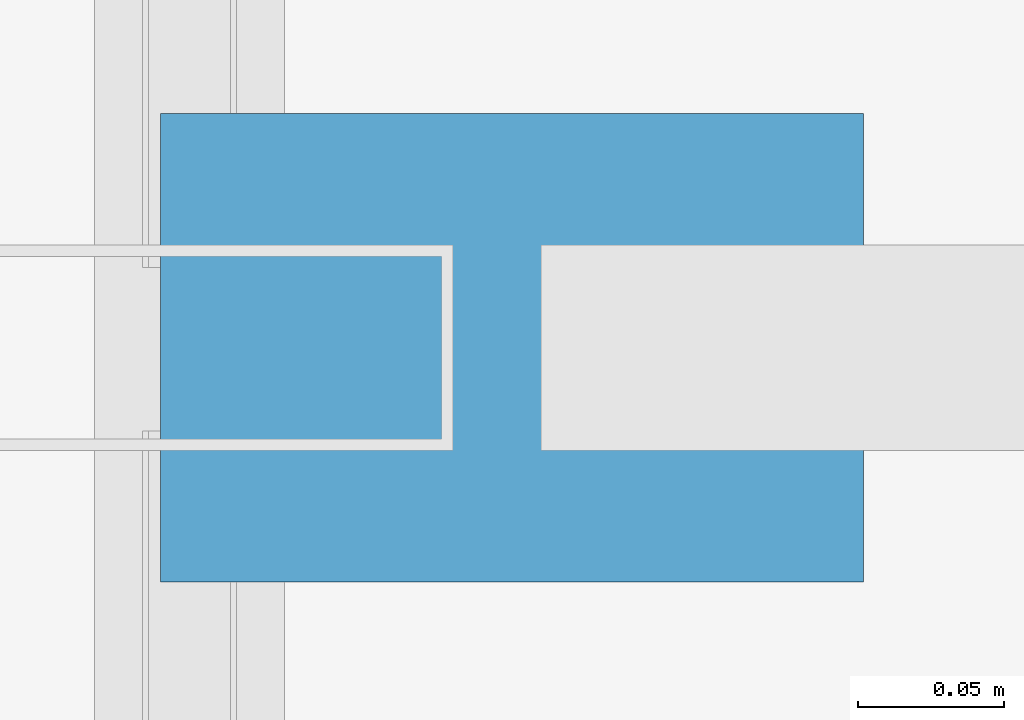
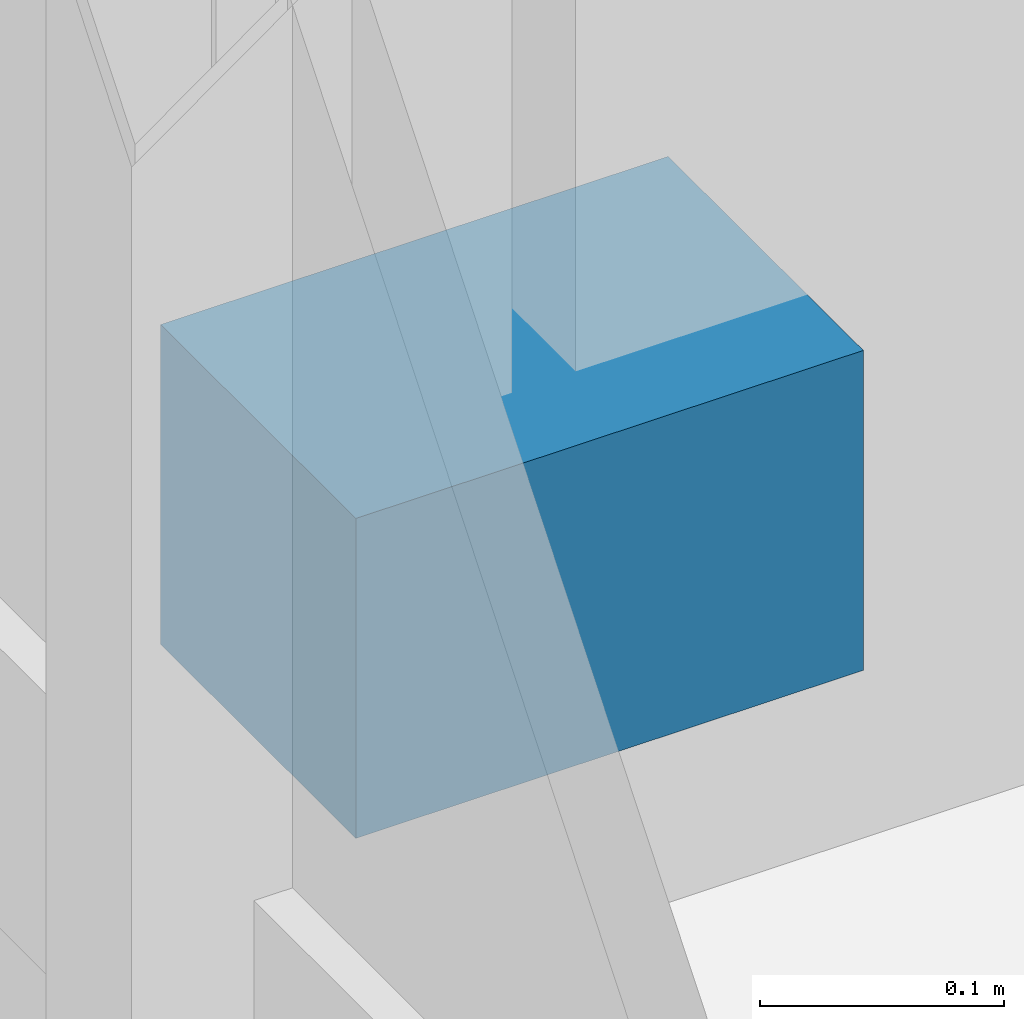
# One storey, part 29 of 37: 1 discrete accessory.
"""IFC4 building model written with IfcOpenShell, lengths in metres."""

import ifcopenshell
import ifcopenshell.guid

model = None  # the IFC model being written
_history = None  # IfcOwnerHistory: only IFC2X3 demands one
_inside = {}  # id of a spatial element -> (the spatial element, [elements in it])
_under = {}  # id of a project, library or spatial element -> (it, [spatial elements below it])
_declared = {}  # id of a project -> (the project, [libraries it declares])
_typed = {}  # id of a type object -> (the type object, [elements of that type])
_made_of = {}  # id of a material, layer set ... -> (it, [elements and type objects made of it])


def new_model(schema):
    """Start an empty IFC model of exactly this schema.

    Asked for "IFC4X3", IfcOpenShell would pick the latest addendum, in which some entities
    have other attributes; the version numbers below select the first issue.
    IFC2X3 requires an IfcOwnerHistory on every rooted entity: one is made here for all.
    """
    global model, _history
    if schema == "IFC4X3":
        model = ifcopenshell.file(schema_version=(4, 3, 0, 0))
    else:
        model = ifcopenshell.file(schema=schema)
    _inside.clear()
    _under.clear()
    _declared.clear()
    _typed.clear()
    _made_of.clear()
    _history = None
    if model.schema == "IFC2X3":
        org = make("IfcOrganization", Name="unknown")
        user = make(
            "IfcPersonAndOrganization",
            ThePerson=make("IfcPerson", FamilyName="unknown"),
            TheOrganization=org,
        )
        app = make(
            "IfcApplication",
            ApplicationDeveloper=org,
            Version="unknown",
            ApplicationFullName="unknown",
            ApplicationIdentifier="unknown",
        )
        _history = make(
            "IfcOwnerHistory",
            OwningUser=user,
            OwningApplication=app,
            ChangeAction="ADDED",
            CreationDate=0,
        )
    return model


def make(cls, **values):
    """One entity of the class cls with the attributes given. An attribute that is None is left unset."""
    return model.create_entity(
        cls, **{name: value for name, value in values.items() if value is not None}
    )


def rooted(cls, **values):
    """An entity with a GlobalId (a new one), such as an element, a storey or a relation."""
    return make(cls, GlobalId=ifcopenshell.guid.new(), OwnerHistory=_history, **values)


def si_unit(unit_type, name, prefix=None):
    """IfcSIUnit, for example si_unit("LENGTHUNIT", "METRE", prefix="MILLI")."""
    return make("IfcSIUnit", UnitType=unit_type, Prefix=prefix, Name=name)


def assignment(units):
    """IfcUnitAssignment: the units of a project."""
    return None if units is None else make("IfcUnitAssignment", Units=units)


def point(xyz):
    """IfcCartesianPoint."""
    return None if xyz is None else make("IfcCartesianPoint", Coordinates=xyz)


def direction(xyz):
    """IfcDirection."""
    return None if xyz is None else make("IfcDirection", DirectionRatios=xyz)


def frame(location, z_axis=None, x_axis=None):
    """IfcAxis2Placement3D, a coordinate frame: its origin and axes. An axis left out is left unset."""
    return make(
        "IfcAxis2Placement3D",
        Location=point(location),
        Axis=direction(z_axis),
        RefDirection=direction(x_axis),
    )


def frame_2d(location, x_axis=None):
    """IfcAxis2Placement2D, a coordinate frame in the plane: its origin and x axis."""
    return make(
        "IfcAxis2Placement2D", Location=point(location), RefDirection=direction(x_axis)
    )


def origin():
    """The frame at (0, 0, 0) with its axes left unset."""
    return frame((0.0, 0.0, 0.0))


def origin_2d():
    """The frame at (0, 0) in the plane with its x axis left unset."""
    return frame_2d((0.0, 0.0))


def place(relative_to, where):
    """IfcLocalPlacement: puts the frame where relative to a parent placement (None: the world)."""
    return make(
        "IfcLocalPlacement", PlacementRelTo=relative_to, RelativePlacement=where
    )


def context(
    kind, dimensions, precision=None, world=None, true_north=None, identifier=None
):
    """IfcGeometricRepresentationContext, for example the 3D "Model" context."""
    return make(
        "IfcGeometricRepresentationContext",
        ContextIdentifier=identifier,
        ContextType=kind,
        CoordinateSpaceDimension=dimensions,
        Precision=precision,
        WorldCoordinateSystem=world,
        TrueNorth=true_north,
    )


def subcontext(parent, identifier, kind, view, scale=None):
    """IfcGeometricRepresentationSubContext, for example "Body" below "Model"."""
    return make(
        "IfcGeometricRepresentationSubContext",
        ContextIdentifier=identifier,
        ContextType=kind,
        ParentContext=parent,
        TargetScale=scale,
        TargetView=view,
    )


def project(units=None, contexts=None):
    """IfcProject with its units and contexts."""
    return rooted(
        "IfcProject",
        Name="project",
        RepresentationContexts=contexts,
        UnitsInContext=assignment(units),
    )


def spatial(cls, under=None, at=None, **own):
    """A site, building, storey or space (cls), placed at a placement, below another one or the project."""
    s = rooted(cls, ObjectPlacement=at, **own)
    if under is not None:
        _under.setdefault(under.id(), (under, []))[1].append(s)
    return s


def profile(cls, at=None, kind="AREA", **sizes):
    """A parametric profile (cls). Its sizes go by their IFC names, for example OverallWidth=200.0."""
    return make(cls, ProfileType=kind, Position=at, **sizes)


def rectangle(**sizes):
    """IfcRectangleProfileDef."""
    return profile("IfcRectangleProfileDef", **sizes)


def extrude(swept, where, along, depth):
    """IfcExtrudedAreaSolid: the profile swept, set in the frame where, extruded along a direction by depth."""
    return make(
        "IfcExtrudedAreaSolid",
        SweptArea=swept,
        Position=where,
        ExtrudedDirection=direction(along),
        Depth=depth,
    )


def shape(context_of_items, identifier, shape_type, items):
    """IfcShapeRepresentation: the items that make up one representation, for example the "Body"."""
    return make(
        "IfcShapeRepresentation",
        ContextOfItems=context_of_items,
        RepresentationIdentifier=identifier,
        RepresentationType=shape_type,
        Items=items,
    )


def material(Name=None, Category=None):
    """IfcMaterial."""
    return make("IfcMaterial", Name=Name, Category=Category)


def made_of(thing, what):
    """Note that an element or type object is made of a material, layer set ...; save() writes the relation."""
    if what is not None:
        _made_of.setdefault(what.id(), (what, []))[1].append(thing)
    return thing


def type_object(cls, material=None, **own):
    """A type object (cls), such as IfcWallType, which elements share."""
    return made_of(rooted(cls, **own), material)


def element(
    cls,
    number,
    at=None,
    inside=None,
    cuts=None,
    type_object=None,
    material=None,
    context=None,
    identifier="Body",
    shape_type=None,
    held_by="IfcProductDefinitionShape",
    body=None,
    shapes=None,
    **own,
):
    """One element of the class cls, such as IfcWall. Its Tag is "e" and its number.

    at: its placement. inside: the storey or other place that contains it. cuts: it is an
    opening in that element (IfcRelVoidsElement). A single representation is given by context,
    identifier, shape_type and body (its items); several are given by shapes. held_by: the class
    of the entity that holds the representations. save() writes the other relations.
    """
    e = rooted(cls, Tag="e%d" % number, ObjectPlacement=at, **own)
    if body is not None:
        shapes = [shape(context, identifier, shape_type, body)]
    if shapes is not None:
        e.Representation = make(held_by, Representations=shapes)
    if inside is not None:
        _inside.setdefault(inside.id(), (inside, []))[1].append(e)
    if cuts is not None:
        rooted(
            "IfcRelVoidsElement", RelatingBuildingElement=cuts, RelatedOpeningElement=e
        )
    if type_object is not None:
        _typed.setdefault(type_object.id(), (type_object, []))[1].append(e)
    return made_of(e, material)


def aggregate(whole, parts):
    """IfcRelAggregates: a whole, such as a stair, and the parts it consists of."""
    return rooted("IfcRelAggregates", RelatingObject=whole, RelatedObjects=parts)


def save(model, path):
    """Write the relations noted so far, then the file.

    IfcRelAggregates (storeys below a building ...), IfcRelContainedInSpatialStructure (elements
    in a storey), IfcRelDefinesByType, IfcRelAssociatesMaterial and IfcRelDeclares: one each for
    every whole, place, type object, material and project.
    """
    for whole, parts in _under.values():
        aggregate(whole, parts)
    for where, things in _inside.values():
        rooted(
            "IfcRelContainedInSpatialStructure",
            RelatedElements=things,
            RelatingStructure=where,
        )
    for kind, things in _typed.values():
        rooted("IfcRelDefinesByType", RelatedObjects=things, RelatingType=kind)
    for what, things in _made_of.values():
        rooted("IfcRelAssociatesMaterial", RelatedObjects=things, RelatingMaterial=what)
    for by, libraries in _declared.values():
        rooted("IfcRelDeclares", RelatingContext=by, RelatedDefinitions=libraries)
    model.write(path)


model = new_model("IFC4")

# Units and contexts
model_context = context("Model", 3, precision=1e-05, world=origin(), true_north=direction((0.0, 1.0)))
body_context = subcontext(model_context, "Body", "Model", "MODEL_VIEW")
ifc_project = project(units=[si_unit("LENGTHUNIT", "METRE"), si_unit("AREAUNIT", "SQUARE_METRE"), si_unit("VOLUMEUNIT", "CUBIC_METRE"), si_unit("PLANEANGLEUNIT", "RADIAN"), si_unit("MASSUNIT", "GRAM", prefix="KILO")], contexts=[model_context])

# Site, building, storey
site_placement = place(None, origin())
site = spatial("IfcSite", under=ifc_project, at=site_placement, CompositionType="ELEMENT")
building_placement = place(site_placement, origin())
building = spatial("IfcBuilding", under=site, at=building_placement, Name="Hatsunagi Terrace Concourse", CompositionType="ELEMENT")
storey_placement = place(building_placement, frame((0.0, 0.0, 39.949951171875)))
storey = spatial("IfcBuildingStorey", under=building, at=storey_placement, Name="L09", CompositionType="ELEMENT", Elevation=39.949951171875)

# Discrete accessory
ifc_material = material(Name="Stainless Steel SUS316 Bracket", Category="steel")
discrete_accessory_type = type_object("IfcDiscreteAccessoryType", Name="FacadeScreenSupportBracket_SS", PredefinedType="BRACKET", material=ifc_material)
discrete_accessory_placement = place(storey_placement, frame((0.25, 45.73388671875, 0.97021484375), z_axis=(0.0, 0.0, 1.0), x_axis=(0.0, 1.0, 0.0)))
element("IfcDiscreteAccessory", 1, at=discrete_accessory_placement, inside=storey, type_object=discrete_accessory_type, Name="Terracotta Screen Bracket BRK-01", PredefinedType="BRACKET", context=body_context, shape_type="SweptSolid", body=[
    extrude(rectangle(XDim=0.159912109375, YDim=0.239990234375, at=origin_2d()), origin(), (0.0, 0.0, 1.0), 0.159912109375),
])

save(model, "model.ifc")
